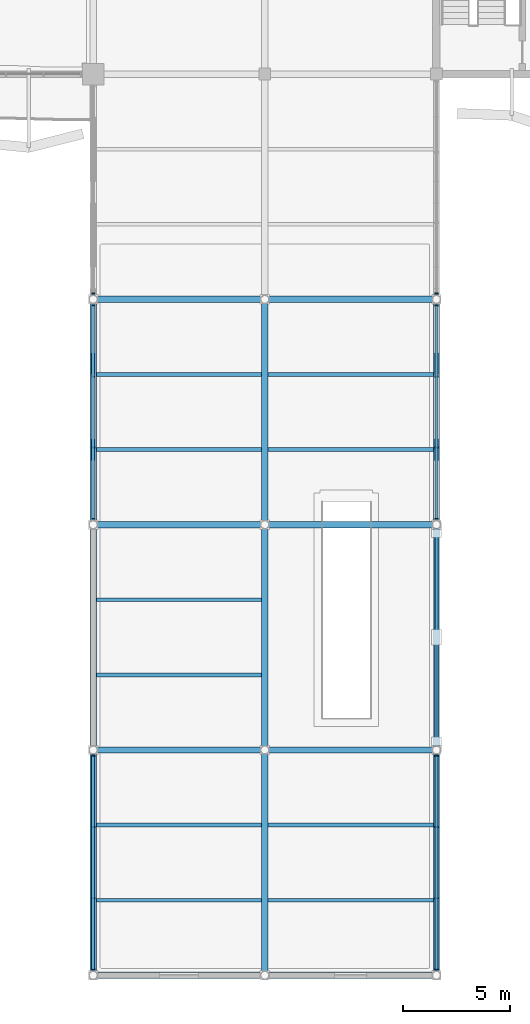
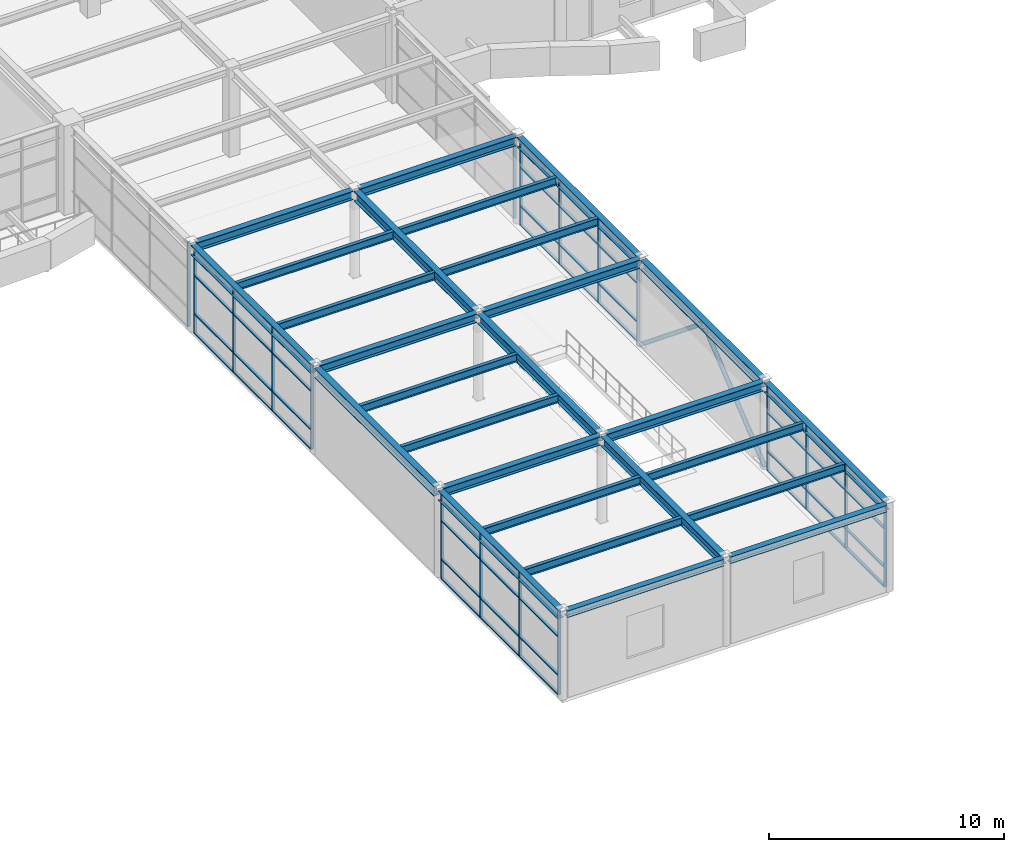
# One storey, part 25 of 72: 36 members, 27 beams, 6 elements without a shape of their own.
"""IFC4 building model written with IfcOpenShell, lengths in metres."""

from ifc_helpers import new_model, si_unit, direction, frame, origin, origin_2d, place, context, subcontext, project, spatial, rectangle, hollow_circle, i_section, extrude, material, layer, layer_set, material_profile, profile_set, type_object, element, aggregate, save


model = new_model("IFC4")

# Units and contexts
model_context = context("Model", 3, precision=1e-05, world=origin(), true_north=direction((0.0, 1.0)))
body_context = subcontext(model_context, "Body", "Model", "MODEL_VIEW")
ifc_project = project(units=[si_unit("LENGTHUNIT", "METRE"), si_unit("AREAUNIT", "SQUARE_METRE"), si_unit("VOLUMEUNIT", "CUBIC_METRE"), si_unit("PLANEANGLEUNIT", "RADIAN"), si_unit("MASSUNIT", "GRAM", prefix="KILO")], contexts=[model_context])

# Site, building, storey
site_placement = place(None, origin())
site = spatial("IfcSite", under=ifc_project, at=site_placement, CompositionType="ELEMENT")
building_placement = place(site_placement, origin())
building = spatial("IfcBuilding", under=site, at=building_placement, Name="Keelwater Ferry Terminal", CompositionType="ELEMENT")
storey_placement = place(building_placement, frame((0.0, 0.0, 5.39990234375)))
storey = spatial("IfcBuildingStorey", under=building, at=storey_placement, Name="L01", CompositionType="ELEMENT", Elevation=5.39990234375)

# Members
ifc_material_1 = material(Name="Steel S355", Category="steel")
ifc_material_profile_1 = material_profile(ifc_material_1, hollow_circle(Radius=0.109619140625, WallThickness=0.010009765625, at=origin_2d()), Name="CHS 219.1x10")
ifc_profile_set_1 = profile_set([ifc_material_profile_1], Name="Steel S355")
member_type_1 = type_object("IfcMemberType", Name="BR4 CHS 219.1x10", PredefinedType="BRACE", material=ifc_profile_set_1)
for number, where, z_axis, x_axis, name in (
    (1, (148.0, 10.5, 0.0), (0.0, 0.775796085922, 0.630983702696), (-1.0, 0.0, 0.0), "Structural Member MB-L01-0595"),
    (2, (148.0, 21.0, 0.0), (0.0, -0.775796085922, 0.630983702696), (1.0, 0.0, 0.0), "Structural Member MB-L01-0596"),
):
    element("IfcMember", number, at=place(storey_placement, frame(where, z_axis=z_axis, x_axis=x_axis)), inside=storey, type_object=member_type_1, Name=name, PredefinedType="BRACE", context=body_context, shape_type="SweptSolid", body=[
        extrude(hollow_circle(Radius=0.109619140625, WallThickness=0.010009765625, at=origin_2d()), origin(), (0.0, 0.0, 1.0), 6.767333984375),
    ])

# Curtain wall, members
ifc_material_2 = material(Name="Thermally broken unitised aluminium and triple glass", Category="aluminium")
ifc_layer_1 = layer(ifc_material_2, 0.179931640625)
ifc_layer_set_1 = layer_set([ifc_layer_1], Name="Thermally broken unitised aluminium and triple glass")
curtain_wall_type_1 = type_object("IfcCurtainWallType", Name="CW-09 Unitised Curtain Wall 9944x4400", PredefinedType="USERDEFINED", material=ifc_layer_set_1)
curtain_wall_1_placement = place(storey_placement, origin())
curtain_wall_1 = element("IfcCurtainWall", 3, at=curtain_wall_1_placement, inside=storey, type_object=curtain_wall_type_1, Name="Unitised Curtain Wall CW-L01-060", ObjectType="UNITISED CURTAIN WALL", PredefinedType="USERDEFINED")
ifc_material_3 = material(Name="Aluminium mullion", Category="aluminium")
ifc_material_profile_2 = material_profile(ifc_material_3, rectangle(XDim=0.06005859375, YDim=0.14990234375, at=origin_2d()), Name="CWM-03")
ifc_profile_set_2 = profile_set([ifc_material_profile_2], Name="Aluminium mullion")
member_type_2 = type_object("IfcMemberType", Name="CWM-03 Curtain Mullion 60x150", PredefinedType="MULLION", material=ifc_profile_set_2)
member_1_placement = place(storey_placement, frame((132.0, 0.278076171875, 0.0), z_axis=(0.0, 0.0, 1.0), x_axis=(0.0, 1.0, 0.0)))
member_1 = element("IfcMember", 4, at=member_1_placement, type_object=member_type_2, Name="CW-L01-060 Mullion 1", PredefinedType="MULLION", context=body_context, shape_type="SweptSolid", body=[
    extrude(rectangle(XDim=0.06005859375, YDim=0.14990234375, at=origin_2d()), origin(), (0.0, 0.0, 1.0), 4.400146484375),
])
member_2_placement = place(storey_placement, frame((132.0, 3.5927734375, 0.0), z_axis=(0.0, 0.0, 1.0), x_axis=(0.0, 1.0, 0.0)))
member_2 = element("IfcMember", 5, at=member_2_placement, type_object=member_type_2, Name="CW-L01-060 Mullion 2", PredefinedType="MULLION", context=body_context, shape_type="SweptSolid", body=[
    extrude(rectangle(XDim=0.06005859375, YDim=0.14990234375, at=origin_2d()), origin(), (0.0, 0.0, 1.0), 4.400146484375),
])
member_3_placement = place(storey_placement, frame((132.0, 6.9072265625, 0.0), z_axis=(0.0, 0.0, 1.0), x_axis=(0.0, 1.0, 0.0)))
member_3 = element("IfcMember", 6, at=member_3_placement, type_object=member_type_2, Name="CW-L01-060 Mullion 3", PredefinedType="MULLION", context=body_context, shape_type="SweptSolid", body=[
    extrude(rectangle(XDim=0.06005859375, YDim=0.14990234375, at=origin_2d()), origin(), (0.0, 0.0, 1.0), 4.400146484375),
])
member_4_placement = place(storey_placement, frame((132.0, 10.221923828125, 0.0), z_axis=(0.0, 0.0, 1.0), x_axis=(0.0, 1.0, 0.0)))
member_4 = element("IfcMember", 7, at=member_4_placement, type_object=member_type_2, Name="CW-L01-060 Mullion 4", PredefinedType="MULLION", context=body_context, shape_type="SweptSolid", body=[
    extrude(rectangle(XDim=0.06005859375, YDim=0.14990234375, at=origin_2d()), origin(), (0.0, 0.0, 1.0), 4.400146484375),
])

curtain_wall_2_placement = place(storey_placement, origin())
curtain_wall_2 = element("IfcCurtainWall", 8, at=curtain_wall_2_placement, inside=storey, type_object=curtain_wall_type_1, Name="Unitised Curtain Wall CW-L01-062", ObjectType="UNITISED CURTAIN WALL", PredefinedType="USERDEFINED")
member_5_placement = place(storey_placement, frame((132.0, 21.278076171875, 0.0), z_axis=(0.0, 0.0, 1.0), x_axis=(0.0, 1.0, 0.0)))
member_5 = element("IfcMember", 9, at=member_5_placement, type_object=member_type_2, Name="CW-L01-062 Mullion 1", PredefinedType="MULLION", context=body_context, shape_type="SweptSolid", body=[
    extrude(rectangle(XDim=0.06005859375, YDim=0.14990234375, at=origin_2d()), origin(), (0.0, 0.0, 1.0), 4.400146484375),
])
member_6_placement = place(storey_placement, frame((132.0, 24.5927734375, 0.0), z_axis=(0.0, 0.0, 1.0), x_axis=(0.0, 1.0, 0.0)))
member_6 = element("IfcMember", 10, at=member_6_placement, type_object=member_type_2, Name="CW-L01-062 Mullion 2", PredefinedType="MULLION", context=body_context, shape_type="SweptSolid", body=[
    extrude(rectangle(XDim=0.06005859375, YDim=0.14990234375, at=origin_2d()), origin(), (0.0, 0.0, 1.0), 4.400146484375),
])
member_7_placement = place(storey_placement, frame((132.0, 27.9072265625, 0.0), z_axis=(0.0, 0.0, 1.0), x_axis=(0.0, 1.0, 0.0)))
member_7 = element("IfcMember", 11, at=member_7_placement, type_object=member_type_2, Name="CW-L01-062 Mullion 3", PredefinedType="MULLION", context=body_context, shape_type="SweptSolid", body=[
    extrude(rectangle(XDim=0.06005859375, YDim=0.14990234375, at=origin_2d()), origin(), (0.0, 0.0, 1.0), 4.400146484375),
])
member_8_placement = place(storey_placement, frame((132.0, 31.221923828125, 0.0), z_axis=(0.0, 0.0, 1.0), x_axis=(0.0, 1.0, 0.0)))
member_8 = element("IfcMember", 12, at=member_8_placement, type_object=member_type_2, Name="CW-L01-062 Mullion 4", PredefinedType="MULLION", context=body_context, shape_type="SweptSolid", body=[
    extrude(rectangle(XDim=0.06005859375, YDim=0.14990234375, at=origin_2d()), origin(), (0.0, 0.0, 1.0), 4.400146484375),
])

# Curtain wall, member
ifc_material_4 = material(Name="Thermally broken unitised aluminium and triple glass", Category="aluminium")
ifc_layer_2 = layer(ifc_material_4, 0.179931640625)
ifc_layer_set_2 = layer_set([ifc_layer_2], Name="Thermally broken unitised aluminium and triple glass")
curtain_wall_type_2 = type_object("IfcCurtainWallType", Name="CW-13 Unitised Curtain Wall 9647x4400", PredefinedType="USERDEFINED", material=ifc_layer_set_2)
curtain_wall_3_placement = place(storey_placement, origin())
curtain_wall_3 = element("IfcCurtainWall", 13, at=curtain_wall_3_placement, inside=storey, type_object=curtain_wall_type_2, Name="Unitised Curtain Wall CW-L01-064", ObjectType="UNITISED CURTAIN WALL", PredefinedType="USERDEFINED")
member_9_placement = place(storey_placement, frame((132.0, 31.778076171875, 0.0), z_axis=(0.0, 0.0, 1.0), x_axis=(0.0, 1.0, 0.0)))
member_9 = element("IfcMember", 14, at=member_9_placement, type_object=member_type_2, Name="CW-L01-064 Mullion 1", PredefinedType="MULLION", context=body_context, shape_type="SweptSolid", body=[
    extrude(rectangle(XDim=0.06005859375, YDim=0.14990234375, at=origin_2d()), origin(), (0.0, 0.0, 1.0), 4.400146484375),
])
aggregate(curtain_wall_3, [member_9])

# Curtain wall, members
curtain_wall_4_placement = place(storey_placement, origin())
curtain_wall_4 = element("IfcCurtainWall", 15, at=curtain_wall_4_placement, inside=storey, type_object=curtain_wall_type_1, Name="Unitised Curtain Wall CW-L01-066", ObjectType="UNITISED CURTAIN WALL", PredefinedType="USERDEFINED")
member_10_placement = place(storey_placement, frame((148.0, 0.278076171875, 0.0), z_axis=(0.0, 0.0, 1.0), x_axis=(0.0, 1.0, 0.0)))
member_10 = element("IfcMember", 16, at=member_10_placement, type_object=member_type_2, Name="CW-L01-066 Mullion 1", PredefinedType="MULLION", context=body_context, shape_type="SweptSolid", body=[
    extrude(rectangle(XDim=0.06005859375, YDim=0.14990234375, at=origin_2d()), origin(), (0.0, 0.0, 1.0), 4.400146484375),
])
member_11_placement = place(storey_placement, frame((148.0, 3.5927734375, 0.0), z_axis=(0.0, 0.0, 1.0), x_axis=(0.0, 1.0, 0.0)))
member_11 = element("IfcMember", 17, at=member_11_placement, type_object=member_type_2, Name="CW-L01-066 Mullion 2", PredefinedType="MULLION", context=body_context, shape_type="SweptSolid", body=[
    extrude(rectangle(XDim=0.06005859375, YDim=0.14990234375, at=origin_2d()), origin(), (0.0, 0.0, 1.0), 4.400146484375),
])
member_12_placement = place(storey_placement, frame((148.0, 6.9072265625, 0.0), z_axis=(0.0, 0.0, 1.0), x_axis=(0.0, 1.0, 0.0)))
member_12 = element("IfcMember", 18, at=member_12_placement, type_object=member_type_2, Name="CW-L01-066 Mullion 3", PredefinedType="MULLION", context=body_context, shape_type="SweptSolid", body=[
    extrude(rectangle(XDim=0.06005859375, YDim=0.14990234375, at=origin_2d()), origin(), (0.0, 0.0, 1.0), 4.400146484375),
])
member_13_placement = place(storey_placement, frame((148.0, 10.221923828125, 0.0), z_axis=(0.0, 0.0, 1.0), x_axis=(0.0, 1.0, 0.0)))
member_13 = element("IfcMember", 19, at=member_13_placement, type_object=member_type_2, Name="CW-L01-066 Mullion 4", PredefinedType="MULLION", context=body_context, shape_type="SweptSolid", body=[
    extrude(rectangle(XDim=0.06005859375, YDim=0.14990234375, at=origin_2d()), origin(), (0.0, 0.0, 1.0), 4.400146484375),
])

curtain_wall_5_placement = place(storey_placement, origin())
curtain_wall_5 = element("IfcCurtainWall", 20, at=curtain_wall_5_placement, inside=storey, type_object=curtain_wall_type_1, Name="Unitised Curtain Wall CW-L01-068", ObjectType="UNITISED CURTAIN WALL", PredefinedType="USERDEFINED")
member_14_placement = place(storey_placement, frame((148.0, 21.278076171875, 0.0), z_axis=(0.0, 0.0, 1.0), x_axis=(0.0, 1.0, 0.0)))
member_14 = element("IfcMember", 21, at=member_14_placement, type_object=member_type_2, Name="CW-L01-068 Mullion 1", PredefinedType="MULLION", context=body_context, shape_type="SweptSolid", body=[
    extrude(rectangle(XDim=0.06005859375, YDim=0.14990234375, at=origin_2d()), origin(), (0.0, 0.0, 1.0), 4.400146484375),
])
member_15_placement = place(storey_placement, frame((148.0, 24.5927734375, 0.0), z_axis=(0.0, 0.0, 1.0), x_axis=(0.0, 1.0, 0.0)))
member_15 = element("IfcMember", 22, at=member_15_placement, type_object=member_type_2, Name="CW-L01-068 Mullion 2", PredefinedType="MULLION", context=body_context, shape_type="SweptSolid", body=[
    extrude(rectangle(XDim=0.06005859375, YDim=0.14990234375, at=origin_2d()), origin(), (0.0, 0.0, 1.0), 4.400146484375),
])
member_16_placement = place(storey_placement, frame((148.0, 27.9072265625, 0.0), z_axis=(0.0, 0.0, 1.0), x_axis=(0.0, 1.0, 0.0)))
member_16 = element("IfcMember", 23, at=member_16_placement, type_object=member_type_2, Name="CW-L01-068 Mullion 3", PredefinedType="MULLION", context=body_context, shape_type="SweptSolid", body=[
    extrude(rectangle(XDim=0.06005859375, YDim=0.14990234375, at=origin_2d()), origin(), (0.0, 0.0, 1.0), 4.400146484375),
])
member_17_placement = place(storey_placement, frame((148.0, 31.221923828125, 0.0), z_axis=(0.0, 0.0, 1.0), x_axis=(0.0, 1.0, 0.0)))
member_17 = element("IfcMember", 24, at=member_17_placement, type_object=member_type_2, Name="CW-L01-068 Mullion 4", PredefinedType="MULLION", context=body_context, shape_type="SweptSolid", body=[
    extrude(rectangle(XDim=0.06005859375, YDim=0.14990234375, at=origin_2d()), origin(), (0.0, 0.0, 1.0), 4.400146484375),
])

# Curtain wall, member
ifc_material_5 = material(Name="Thermally broken unitised aluminium and triple glass", Category="aluminium")
ifc_layer_3 = layer(ifc_material_5, 0.179931640625)
ifc_layer_set_3 = layer_set([ifc_layer_3], Name="Thermally broken unitised aluminium and triple glass")
curtain_wall_type_3 = type_object("IfcCurtainWallType", Name="CW-11 Unitised Curtain Wall 9872x4400", PredefinedType="USERDEFINED", material=ifc_layer_set_3)
curtain_wall_6_placement = place(storey_placement, origin())
curtain_wall_6 = element("IfcCurtainWall", 25, at=curtain_wall_6_placement, inside=storey, type_object=curtain_wall_type_3, Name="Unitised Curtain Wall CW-L01-070", ObjectType="UNITISED CURTAIN WALL", PredefinedType="USERDEFINED")
member_18_placement = place(storey_placement, frame((148.0, 31.778076171875, 0.0), z_axis=(0.0, 0.0, 1.0), x_axis=(0.0, 1.0, 0.0)))
member_18 = element("IfcMember", 26, at=member_18_placement, type_object=member_type_2, Name="CW-L01-070 Mullion 1", PredefinedType="MULLION", context=body_context, shape_type="SweptSolid", body=[
    extrude(rectangle(XDim=0.06005859375, YDim=0.14990234375, at=origin_2d()), origin(), (0.0, 0.0, 1.0), 4.400146484375),
])
aggregate(curtain_wall_6, [member_18])

# Member
ifc_material_6 = material(Name="Aluminium mullion", Category="aluminium")
ifc_material_profile_3 = material_profile(ifc_material_6, rectangle(XDim=0.135009765625, YDim=0.06005859375, at=origin_2d()), Name="CWT-03")
ifc_profile_set_3 = profile_set([ifc_material_profile_3], Name="Aluminium mullion")
member_type_3 = type_object("IfcMemberType", Name="CWT-03 Curtain Transom 60x135", PredefinedType="USERDEFINED", material=ifc_profile_set_3)
member_19_placement = place(storey_placement, frame((132.0, 0.278076171875, 0.0), z_axis=(0.0, 1.0, 0.0), x_axis=(-1.0, 0.0, 0.0)))
member_19 = element("IfcMember", 27, at=member_19_placement, type_object=member_type_3, Name="CW-L01-060 Transom 1", ObjectType="TRANSOM", PredefinedType="USERDEFINED", context=body_context, shape_type="SweptSolid", body=[
    extrude(rectangle(XDim=0.135009765625, YDim=0.06005859375, at=origin_2d()), origin(), (0.0, 0.0, 1.0), 9.94384765625),
])

member_20_placement = place(storey_placement, frame((132.0, 0.278076171875, 1.0), z_axis=(0.0, 1.0, 0.0), x_axis=(-1.0, 0.0, 0.0)))
member_20 = element("IfcMember", 28, at=member_20_placement, type_object=member_type_3, Name="CW-L01-060 Transom 2", ObjectType="TRANSOM", PredefinedType="USERDEFINED", context=body_context, shape_type="SweptSolid", body=[
    extrude(rectangle(XDim=0.135009765625, YDim=0.06005859375, at=origin_2d()), origin(), (0.0, 0.0, 1.0), 9.94384765625),
])

member_21_placement = place(storey_placement, frame((132.0, 0.278076171875, 3.0), z_axis=(0.0, 1.0, 0.0), x_axis=(-1.0, 0.0, 0.0)))
member_21 = element("IfcMember", 29, at=member_21_placement, type_object=member_type_3, Name="CW-L01-060 Transom 3", ObjectType="TRANSOM", PredefinedType="USERDEFINED", context=body_context, shape_type="SweptSolid", body=[
    extrude(rectangle(XDim=0.135009765625, YDim=0.06005859375, at=origin_2d()), origin(), (0.0, 0.0, 1.0), 9.94384765625),
])

member_22_placement = place(storey_placement, frame((132.0, 0.278076171875, 4.400146484375), z_axis=(0.0, 1.0, 0.0), x_axis=(-1.0, 0.0, 0.0)))
member_22 = element("IfcMember", 30, at=member_22_placement, type_object=member_type_3, Name="CW-L01-060 Transom 4", ObjectType="TRANSOM", PredefinedType="USERDEFINED", context=body_context, shape_type="SweptSolid", body=[
    extrude(rectangle(XDim=0.135009765625, YDim=0.06005859375, at=origin_2d()), origin(), (0.0, 0.0, 1.0), 9.94384765625),
])

aggregate(curtain_wall_1, [member_1, member_2, member_3, member_4, member_19, member_20, member_21, member_22])

member_23_placement = place(storey_placement, frame((132.0, 21.278076171875, 0.0), z_axis=(0.0, 1.0, 0.0), x_axis=(-1.0, 0.0, 0.0)))
member_23 = element("IfcMember", 31, at=member_23_placement, type_object=member_type_3, Name="CW-L01-062 Transom 1", ObjectType="TRANSOM", PredefinedType="USERDEFINED", context=body_context, shape_type="SweptSolid", body=[
    extrude(rectangle(XDim=0.135009765625, YDim=0.06005859375, at=origin_2d()), origin(), (0.0, 0.0, 1.0), 9.94384765625),
])

member_24_placement = place(storey_placement, frame((132.0, 21.278076171875, 1.0), z_axis=(0.0, 1.0, 0.0), x_axis=(-1.0, 0.0, 0.0)))
member_24 = element("IfcMember", 32, at=member_24_placement, type_object=member_type_3, Name="CW-L01-062 Transom 2", ObjectType="TRANSOM", PredefinedType="USERDEFINED", context=body_context, shape_type="SweptSolid", body=[
    extrude(rectangle(XDim=0.135009765625, YDim=0.06005859375, at=origin_2d()), origin(), (0.0, 0.0, 1.0), 9.94384765625),
])

member_25_placement = place(storey_placement, frame((132.0, 21.278076171875, 3.0), z_axis=(0.0, 1.0, 0.0), x_axis=(-1.0, 0.0, 0.0)))
member_25 = element("IfcMember", 33, at=member_25_placement, type_object=member_type_3, Name="CW-L01-062 Transom 3", ObjectType="TRANSOM", PredefinedType="USERDEFINED", context=body_context, shape_type="SweptSolid", body=[
    extrude(rectangle(XDim=0.135009765625, YDim=0.06005859375, at=origin_2d()), origin(), (0.0, 0.0, 1.0), 9.94384765625),
])

member_26_placement = place(storey_placement, frame((132.0, 21.278076171875, 4.400146484375), z_axis=(0.0, 1.0, 0.0), x_axis=(-1.0, 0.0, 0.0)))
member_26 = element("IfcMember", 34, at=member_26_placement, type_object=member_type_3, Name="CW-L01-062 Transom 4", ObjectType="TRANSOM", PredefinedType="USERDEFINED", context=body_context, shape_type="SweptSolid", body=[
    extrude(rectangle(XDim=0.135009765625, YDim=0.06005859375, at=origin_2d()), origin(), (0.0, 0.0, 1.0), 9.94384765625),
])

aggregate(curtain_wall_2, [member_5, member_6, member_7, member_8, member_23, member_24, member_25, member_26])

member_27_placement = place(storey_placement, frame((148.0, 0.278076171875, 0.0), z_axis=(0.0, 1.0, 0.0), x_axis=(-1.0, 0.0, 0.0)))
member_27 = element("IfcMember", 35, at=member_27_placement, type_object=member_type_3, Name="CW-L01-066 Transom 1", ObjectType="TRANSOM", PredefinedType="USERDEFINED", context=body_context, shape_type="SweptSolid", body=[
    extrude(rectangle(XDim=0.135009765625, YDim=0.06005859375, at=origin_2d()), origin(), (0.0, 0.0, 1.0), 9.94384765625),
])

member_28_placement = place(storey_placement, frame((148.0, 0.278076171875, 1.0), z_axis=(0.0, 1.0, 0.0), x_axis=(-1.0, 0.0, 0.0)))
member_28 = element("IfcMember", 36, at=member_28_placement, type_object=member_type_3, Name="CW-L01-066 Transom 2", ObjectType="TRANSOM", PredefinedType="USERDEFINED", context=body_context, shape_type="SweptSolid", body=[
    extrude(rectangle(XDim=0.135009765625, YDim=0.06005859375, at=origin_2d()), origin(), (0.0, 0.0, 1.0), 9.94384765625),
])

member_29_placement = place(storey_placement, frame((148.0, 0.278076171875, 3.0), z_axis=(0.0, 1.0, 0.0), x_axis=(-1.0, 0.0, 0.0)))
member_29 = element("IfcMember", 37, at=member_29_placement, type_object=member_type_3, Name="CW-L01-066 Transom 3", ObjectType="TRANSOM", PredefinedType="USERDEFINED", context=body_context, shape_type="SweptSolid", body=[
    extrude(rectangle(XDim=0.135009765625, YDim=0.06005859375, at=origin_2d()), origin(), (0.0, 0.0, 1.0), 9.94384765625),
])

member_30_placement = place(storey_placement, frame((148.0, 0.278076171875, 4.400146484375), z_axis=(0.0, 1.0, 0.0), x_axis=(-1.0, 0.0, 0.0)))
member_30 = element("IfcMember", 38, at=member_30_placement, type_object=member_type_3, Name="CW-L01-066 Transom 4", ObjectType="TRANSOM", PredefinedType="USERDEFINED", context=body_context, shape_type="SweptSolid", body=[
    extrude(rectangle(XDim=0.135009765625, YDim=0.06005859375, at=origin_2d()), origin(), (0.0, 0.0, 1.0), 9.94384765625),
])

aggregate(curtain_wall_4, [member_10, member_11, member_12, member_13, member_27, member_28, member_29, member_30])

member_31_placement = place(storey_placement, frame((148.0, 21.278076171875, 0.0), z_axis=(0.0, 1.0, 0.0), x_axis=(-1.0, 0.0, 0.0)))
member_31 = element("IfcMember", 39, at=member_31_placement, type_object=member_type_3, Name="CW-L01-068 Transom 1", ObjectType="TRANSOM", PredefinedType="USERDEFINED", context=body_context, shape_type="SweptSolid", body=[
    extrude(rectangle(XDim=0.135009765625, YDim=0.06005859375, at=origin_2d()), origin(), (0.0, 0.0, 1.0), 9.94384765625),
])

member_32_placement = place(storey_placement, frame((148.0, 21.278076171875, 1.0), z_axis=(0.0, 1.0, 0.0), x_axis=(-1.0, 0.0, 0.0)))
member_32 = element("IfcMember", 40, at=member_32_placement, type_object=member_type_3, Name="CW-L01-068 Transom 2", ObjectType="TRANSOM", PredefinedType="USERDEFINED", context=body_context, shape_type="SweptSolid", body=[
    extrude(rectangle(XDim=0.135009765625, YDim=0.06005859375, at=origin_2d()), origin(), (0.0, 0.0, 1.0), 9.94384765625),
])

member_33_placement = place(storey_placement, frame((148.0, 21.278076171875, 3.0), z_axis=(0.0, 1.0, 0.0), x_axis=(-1.0, 0.0, 0.0)))
member_33 = element("IfcMember", 41, at=member_33_placement, type_object=member_type_3, Name="CW-L01-068 Transom 3", ObjectType="TRANSOM", PredefinedType="USERDEFINED", context=body_context, shape_type="SweptSolid", body=[
    extrude(rectangle(XDim=0.135009765625, YDim=0.06005859375, at=origin_2d()), origin(), (0.0, 0.0, 1.0), 9.94384765625),
])

member_34_placement = place(storey_placement, frame((148.0, 21.278076171875, 4.400146484375), z_axis=(0.0, 1.0, 0.0), x_axis=(-1.0, 0.0, 0.0)))
member_34 = element("IfcMember", 42, at=member_34_placement, type_object=member_type_3, Name="CW-L01-068 Transom 4", ObjectType="TRANSOM", PredefinedType="USERDEFINED", context=body_context, shape_type="SweptSolid", body=[
    extrude(rectangle(XDim=0.135009765625, YDim=0.06005859375, at=origin_2d()), origin(), (0.0, 0.0, 1.0), 9.94384765625),
])

aggregate(curtain_wall_5, [member_14, member_15, member_16, member_17, member_31, member_32, member_33, member_34])

# Beams
ifc_material_7 = material(Name="Steel S355", Category="steel")
ifc_material_profile_4 = material_profile(ifc_material_7, i_section(OverallWidth=0.300048828125, OverallDepth=0.5, WebThickness=0.014404296875, FlangeThickness=0.028076171875, at=origin_2d()), Name="HEB 500")
ifc_profile_set_4 = profile_set([ifc_material_profile_4], Name="Steel S355")
beam_type_1 = type_object("IfcBeamType", Name="G5 HEB 500", PredefinedType="BEAM", material=ifc_profile_set_4)
for number, where, z_axis, x_axis, name in (
    (43, (140.0, 0.1669921875, 4.27001953125), (0.0, 1.0, 0.0), (-1.0, 0.0, 0.0), "Beam BM-L01-0763"),
    (44, (140.0, 10.6669921875, 4.27001953125), (0.0, 1.0, 0.0), (-1.0, 0.0, 0.0), "Beam BM-L01-0764"),
    (45, (140.0, 21.1669921875, 4.27001953125), (0.0, 1.0, 0.0), (-1.0, 0.0, 0.0), "Beam BM-L01-0765"),
):
    element("IfcBeam", number, at=place(storey_placement, frame(where, z_axis=z_axis, x_axis=x_axis)), inside=storey, type_object=beam_type_1, Name=name, PredefinedType="BEAM", context=body_context, shape_type="SweptSolid", body=[
        extrude(i_section(OverallWidth=0.300048828125, OverallDepth=0.5, WebThickness=0.014404296875, FlangeThickness=0.028076171875, at=origin_2d()), origin(), (0.0, 0.0, 1.0), 10.166015625),
    ])
ifc_material_8 = material(Name="Steel S355", Category="steel")
ifc_material_profile_5 = material_profile(ifc_material_8, i_section(OverallWidth=0.300048828125, OverallDepth=0.5, WebThickness=0.014404296875, FlangeThickness=0.028076171875, at=origin_2d()), Name="HEB 500")
ifc_profile_set_5 = profile_set([ifc_material_profile_5], Name="Steel S355")
beam_type_2 = type_object("IfcBeamType", Name="G5E HEB 500", PredefinedType="BEAM", material=ifc_profile_set_5)
for number, where, z_axis, x_axis, name in (
    (46, (132.0, 0.1669921875, 4.27001953125), (0.0, 1.0, 0.0), (-1.0, 0.0, 0.0), "Beam BM-L01-0751"),
    (47, (132.0, 10.6669921875, 4.27001953125), (0.0, 1.0, 0.0), (-1.0, 0.0, 0.0), "Beam BM-L01-0752"),
    (48, (132.0, 21.1669921875, 4.27001953125), (0.0, 1.0, 0.0), (-1.0, 0.0, 0.0), "Beam BM-L01-0753"),
    (49, (148.0, 0.1669921875, 4.27001953125), (0.0, 1.0, 0.0), (-1.0, 0.0, 0.0), "Beam BM-L01-0774"),
    (50, (148.0, 10.6669921875, 4.27001953125), (0.0, 1.0, 0.0), (-1.0, 0.0, 0.0), "Beam BM-L01-0775"),
    (51, (148.0, 21.1669921875, 4.27001953125), (0.0, 1.0, 0.0), (-1.0, 0.0, 0.0), "Beam BM-L01-0776"),
):
    element("IfcBeam", number, at=place(storey_placement, frame(where, z_axis=z_axis, x_axis=x_axis)), inside=storey, type_object=beam_type_2, Name=name, PredefinedType="BEAM", context=body_context, shape_type="SweptSolid", body=[
        extrude(i_section(OverallWidth=0.300048828125, OverallDepth=0.5, WebThickness=0.014404296875, FlangeThickness=0.028076171875, at=origin_2d()), origin(), (0.0, 0.0, 1.0), 10.166015625),
    ])
ifc_material_9 = material(Name="Steel S355", Category="steel")
ifc_material_profile_6 = material_profile(ifc_material_9, i_section(OverallWidth=0.300048828125, OverallDepth=0.449951171875, WebThickness=0.013916015625, FlangeThickness=0.02587890625, at=origin_2d()), Name="HEB 450")
ifc_profile_set_6 = profile_set([ifc_material_profile_6], Name="Steel S355")
beam_type_3 = type_object("IfcBeamType", Name="G6 HEB 450", PredefinedType="BEAM", material=ifc_profile_set_6)
for number, where, z_axis, x_axis, name in (
    (52, (132.1669921875, 10.5, 4.295166015625), (1.0, 0.0, 0.0), (0.0, 1.0, 0.0), "Beam BM-L01-0611"),
    (53, (140.1669921875, 10.5, 4.295166015625), (1.0, 0.0, 0.0), (0.0, 1.0, 0.0), "Beam BM-L01-0612"),
    (54, (132.1669921875, 21.0, 4.295166015625), (1.0, 0.0, 0.0), (0.0, 1.0, 0.0), "Beam BM-L01-0615"),
    (55, (140.1669921875, 21.0, 4.295166015625), (1.0, 0.0, 0.0), (0.0, 1.0, 0.0), "Beam BM-L01-0616"),
    (56, (132.1669921875, 31.5, 4.295166015625), (1.0, 0.0, 0.0), (0.0, 1.0, 0.0), "Beam BM-L01-0619"),
    (57, (140.1669921875, 31.5, 4.295166015625), (1.0, 0.0, 0.0), (0.0, 1.0, 0.0), "Beam BM-L01-0620"),
):
    element("IfcBeam", number, at=place(storey_placement, frame(where, z_axis=z_axis, x_axis=x_axis)), inside=storey, type_object=beam_type_3, Name=name, PredefinedType="BEAM", context=body_context, shape_type="SweptSolid", body=[
        extrude(i_section(OverallWidth=0.300048828125, OverallDepth=0.449951171875, WebThickness=0.013916015625, FlangeThickness=0.02587890625, at=origin_2d()), origin(), (0.0, 0.0, 1.0), 7.666015625),
    ])
ifc_material_10 = material(Name="Steel S355", Category="steel")
ifc_material_profile_7 = material_profile(ifc_material_10, i_section(OverallWidth=0.179931640625, OverallDepth=0.39990234375, WebThickness=0.008544921875, FlangeThickness=0.013427734375, at=origin_2d()), Name="IPE 400")
ifc_profile_set_7 = profile_set([ifc_material_profile_7], Name="Steel S355")
beam_type_4 = type_object("IfcBeamType", Name="J5 IPE 400", PredefinedType="JOIST", material=ifc_profile_set_7)
for number, where, z_axis, x_axis, name in (
    (58, (132.14990234375, 3.5, 4.320068359375), (1.0, 0.0, 0.0), (0.0, 1.0, 0.0), "Beam BM-L01-0872"),
    (59, (132.14990234375, 7.0, 4.320068359375), (1.0, 0.0, 0.0), (0.0, 1.0, 0.0), "Beam BM-L01-0873"),
    (60, (132.14990234375, 14.0, 4.320068359375), (1.0, 0.0, 0.0), (0.0, 1.0, 0.0), "Beam BM-L01-0874"),
    (61, (132.14990234375, 17.5, 4.320068359375), (1.0, 0.0, 0.0), (0.0, 1.0, 0.0), "Beam BM-L01-0875"),
    (62, (132.14990234375, 24.5, 4.320068359375), (1.0, 0.0, 0.0), (0.0, 1.0, 0.0), "Beam BM-L01-0876"),
    (63, (132.14990234375, 28.0, 4.320068359375), (1.0, 0.0, 0.0), (0.0, 1.0, 0.0), "Beam BM-L01-0877"),
    (64, (140.14990234375, 3.5, 4.320068359375), (1.0, 0.0, 0.0), (0.0, 1.0, 0.0), "Beam BM-L01-0894"),
    (65, (140.14990234375, 7.0, 4.320068359375), (1.0, 0.0, 0.0), (0.0, 1.0, 0.0), "Beam BM-L01-0895"),
    (66, (140.14990234375, 24.5, 4.320068359375), (1.0, 0.0, 0.0), (0.0, 1.0, 0.0), "Beam BM-L01-0896"),
    (67, (140.14990234375, 28.0, 4.320068359375), (1.0, 0.0, 0.0), (0.0, 1.0, 0.0), "Beam BM-L01-0897"),
):
    element("IfcBeam", number, at=place(storey_placement, frame(where, z_axis=z_axis, x_axis=x_axis)), inside=storey, type_object=beam_type_4, Name=name, PredefinedType="JOIST", context=body_context, shape_type="SweptSolid", body=[
        extrude(i_section(OverallWidth=0.179931640625, OverallDepth=0.39990234375, WebThickness=0.008544921875, FlangeThickness=0.013427734375, at=origin_2d()), origin(), (0.0, 0.0, 1.0), 7.7001953125),
    ])
ifc_material_11 = material(Name="Steel S355", Category="steel")
ifc_material_profile_8 = material_profile(ifc_material_11, i_section(OverallWidth=0.300048828125, OverallDepth=0.35009765625, WebThickness=0.010009765625, FlangeThickness=0.017578125, at=origin_2d()), Name="HEA 360")
ifc_profile_set_8 = profile_set([ifc_material_profile_8], Name="Steel S355")
beam_type_5 = type_object("IfcBeamType", Name="SP1E HEA 360", PredefinedType="SPANDREL", material=ifc_profile_set_8)
for number, where, z_axis, x_axis, name in (
    (68, (132.1669921875, 0.0, 4.34521484375), (1.0, 0.0, 0.0), (0.0, 1.0, 0.0), "Beam BM-L01-0607"),
    (69, (140.1669921875, 0.0, 4.34521484375), (1.0, 0.0, 0.0), (0.0, 1.0, 0.0), "Beam BM-L01-0608"),
):
    element("IfcBeam", number, at=place(storey_placement, frame(where, z_axis=z_axis, x_axis=x_axis)), inside=storey, type_object=beam_type_5, Name=name, PredefinedType="SPANDREL", context=body_context, shape_type="SweptSolid", body=[
        extrude(i_section(OverallWidth=0.300048828125, OverallDepth=0.35009765625, WebThickness=0.010009765625, FlangeThickness=0.017578125, at=origin_2d()), origin(), (0.0, 0.0, 1.0), 7.666015625),
    ])

save(model, "model.ifc")
